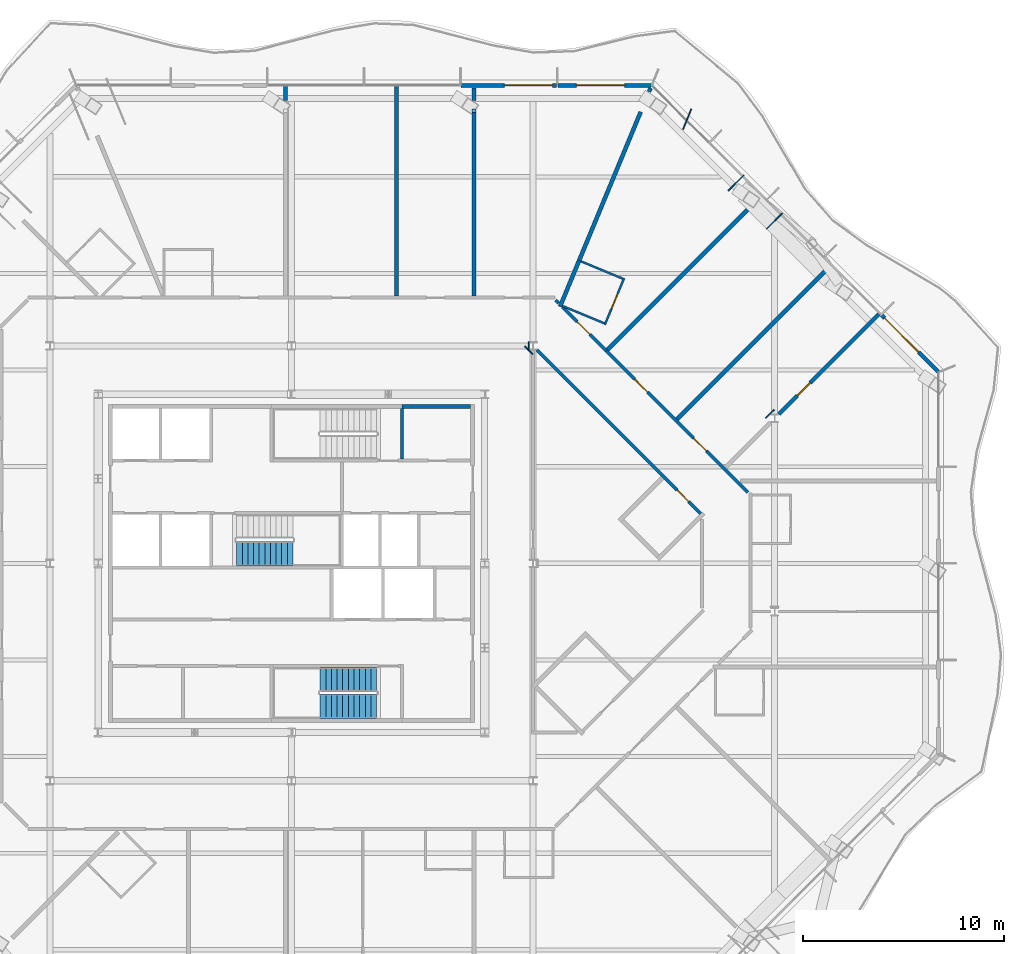
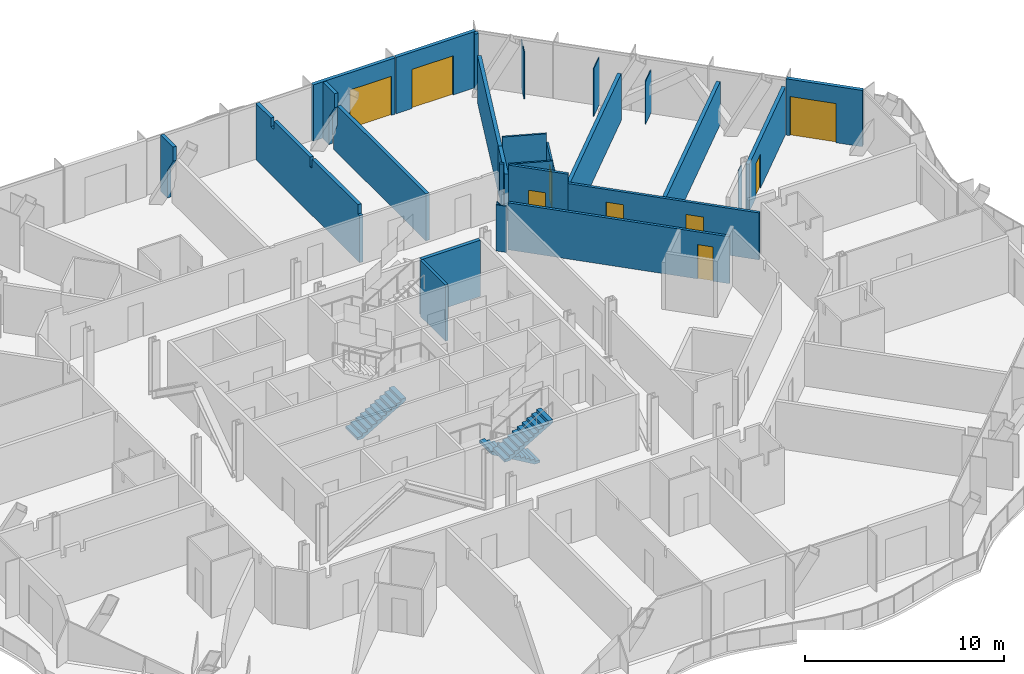
# One storey, part 12 of 19: 28 walls, 9 doors, 3 stair flights, 9 openings, 2 elements without a shape of their own.
"""IFC4 building model written with IfcOpenShell, lengths in metres."""

from ifc_helpers import new_model, si_unit, direction, frame, frame_2d, origin, place, context, subcontext, project, spatial, polyline, rectangle, outline, extrude, material, layer, layer_set, type_object, element, fill, aggregate, save


model = new_model("IFC4")

# Units and contexts
model_context = context("Model", 3, precision=1e-05, world=origin(), true_north=direction((0.0, 1.0)))
body_context = subcontext(model_context, "Body", "Model", "MODEL_VIEW")
ifc_project = project(units=[si_unit("LENGTHUNIT", "METRE"), si_unit("AREAUNIT", "SQUARE_METRE"), si_unit("VOLUMEUNIT", "CUBIC_METRE"), si_unit("PLANEANGLEUNIT", "RADIAN"), si_unit("MASSUNIT", "GRAM", prefix="KILO")], contexts=[model_context])

# Site, building, storey
site_placement = place(None, origin())
site = spatial("IfcSite", under=ifc_project, at=site_placement, CompositionType="ELEMENT")
building_placement = place(site_placement, origin())
building = spatial("IfcBuilding", under=site, at=building_placement, Name="Cairn Pilgrim Tower", CompositionType="ELEMENT")
storey_placement = place(building_placement, frame((0.0, 0.0, 186.60009765625)))
storey = spatial("IfcBuildingStorey", under=building, at=storey_placement, Name="L47", CompositionType="ELEMENT", Elevation=186.60009765625)

# Wall, opening, door
ifc_material_1 = material(Name="Bronze anodised aluminium insulated sandwich panel with mineral wool fill", Category="aluminium")
ifc_layer_1 = layer(ifc_material_1, 0.199951171875)
ifc_layer_set_1 = layer_set([ifc_layer_1], Name="BRONZE INFILL FRAME WALL 200")
wall_type_1 = type_object("IfcWallType", Name="BRONZE INFILL FRAME WALL 200", PredefinedType="NOTDEFINED", material=ifc_layer_set_1)
wall_1_placement = place(storey_placement, frame((39.32177734375, 11.9248046875, 0.0), z_axis=(0.0, 0.0, 1.0), x_axis=(-0.707137595296, 0.707075965734, 0.0)))
wall_1 = element("IfcWall", 1, at=wall_1_placement, inside=storey, type_object=wall_type_1, Name="Bronze infill frame wall IW-NE1", PredefinedType="NOTDEFINED", context=body_context, shape_type="SweptSolid", body=[
    extrude(rectangle(XDim=3.96142578125, YDim=0.199951171875, at=frame_2d((1.980712890625, 0.0))), origin(), (0.0, 0.0, 1.0), 3.449951171875),
])
opening_1_placement = place(wall_1_placement, frame((1.361572265625, 0.0, 0.0)))
opening_1 = element("IfcOpeningElement", 2, at=opening_1_placement, cuts=wall_1, Name="Opening 4705B", PredefinedType="OPENING", context=body_context, shape_type="SweptSolid", body=[
    extrude(rectangle(XDim=2.39990234375, YDim=2.39990234375, at=frame_2d((1.199951171875, 1.199951171875))), frame((0.0, 0.10986328125, 0.0), z_axis=(0.0, -1.0, 0.0), x_axis=(1.0, 0.0, 0.0)), (0.0, 0.0, 1.0), 0.219970703125),
])
ifc_material_2 = material(Name="Bronze anodised aluminium frame with tinted low-E glass", Category="aluminium")
door_type_1 = type_object("IfcDoorType", Name="BALCONY SLIDING DOOR 2400x2400", OperationType="DOUBLE_DOOR_SLIDING", PredefinedType="DOOR", material=ifc_material_2)
door_1_placement = place(opening_1_placement, origin())
door_1 = element("IfcDoor", 3, at=door_1_placement, inside=storey, type_object=door_type_1, Name="Balcony sliding door 4705B", OperationType="SINGLE_SWING_LEFT", OverallHeight=2.39990234375, OverallWidth=2.39990234375, PredefinedType="DOOR", context=body_context, shape_type="SweptSolid", body=[
    extrude(rectangle(XDim=2.39990234375, YDim=2.39990234375, at=frame_2d((1.199951171875, 1.199951171875))), frame((0.0, 0.02490234375, 0.0), z_axis=(0.0, -1.0, 0.0), x_axis=(1.0, 0.0, 0.0)), (0.0, 0.0, 1.0), 0.050048828125),
])
fill(opening_1, door_1)

wall_2_placement = place(storey_placement, frame((25.056396484375, 26.14990234375, 0.0), z_axis=(0.0, 0.0, 1.0), x_axis=(-1.0, 0.0, 0.0)))
wall_2 = element("IfcWall", 4, at=wall_2_placement, inside=storey, type_object=wall_type_1, Name="Bronze infill frame wall IW-N1", PredefinedType="NOTDEFINED", context=body_context, shape_type="SweptSolid", body=[
    extrude(rectangle(XDim=4.62646484375, YDim=0.199951171875, at=frame_2d((2.313232421875, 0.0))), origin(), (0.0, 0.0, 1.0), 3.449951171875),
])
opening_2_placement = place(wall_2_placement, frame((1.308349609375, 0.0, 0.0)))
opening_2 = element("IfcOpeningElement", 5, at=opening_2_placement, cuts=wall_2, Name="Opening 4709B", PredefinedType="OPENING", context=body_context, shape_type="SweptSolid", body=[
    extrude(rectangle(XDim=2.39990234375, YDim=2.39990234375, at=frame_2d((1.199951171875, 1.199951171875))), frame((0.0, 0.10986328125, 0.0), z_axis=(0.0, -1.0, 0.0), x_axis=(1.0, 0.0, 0.0)), (0.0, 0.0, 1.0), 0.219970703125),
])
door_2_placement = place(opening_2_placement, origin())
door_2 = element("IfcDoor", 6, at=door_2_placement, inside=storey, type_object=door_type_1, Name="Balcony sliding door 4709B", OperationType="SINGLE_SWING_LEFT", OverallHeight=2.39990234375, OverallWidth=2.39990234375, PredefinedType="DOOR", context=body_context, shape_type="SweptSolid", body=[
    extrude(rectangle(XDim=2.39990234375, YDim=2.39990234375, at=frame_2d((1.199951171875, 1.199951171875))), frame((0.0, 0.02490234375, 0.0), z_axis=(0.0, -1.0, 0.0), x_axis=(1.0, 0.0, 0.0)), (0.0, 0.0, 1.0), 0.050048828125),
])
fill(opening_2, door_2)

wall_3_placement = place(storey_placement, frame((20.3701171875, 26.14990234375, 0.0), z_axis=(0.0, 0.0, 1.0), x_axis=(-1.0, 0.0, 0.0)))
wall_3 = element("IfcWall", 7, at=wall_3_placement, inside=storey, type_object=wall_type_1, Name="Bronze infill frame wall IW-N2", PredefinedType="NOTDEFINED", context=body_context, shape_type="SweptSolid", body=[
    extrude(rectangle(XDim=4.740234375, YDim=0.199951171875, at=frame_2d((2.3701171875, 0.0))), origin(), (0.0, 0.0, 1.0), 3.449951171875),
])
opening_3_placement = place(wall_3_placement, frame((0.199951171875, 0.0, 0.0)))
opening_3 = element("IfcOpeningElement", 8, at=opening_3_placement, cuts=wall_3, Name="Opening 4709B2", PredefinedType="OPENING", context=body_context, shape_type="SweptSolid", body=[
    extrude(rectangle(XDim=2.39990234375, YDim=2.39990234375, at=frame_2d((1.199951171875, 1.199951171875))), frame((0.0, 0.10986328125, 0.0), z_axis=(0.0, -1.0, 0.0), x_axis=(1.0, 0.0, 0.0)), (0.0, 0.0, 1.0), 0.219970703125),
])
door_3_placement = place(opening_3_placement, origin())
door_3 = element("IfcDoor", 9, at=door_3_placement, inside=storey, type_object=door_type_1, Name="Balcony sliding door 4709B2", OperationType="SINGLE_SWING_LEFT", OverallHeight=2.39990234375, OverallWidth=2.39990234375, PredefinedType="DOOR", context=body_context, shape_type="SweptSolid", body=[
    extrude(rectangle(XDim=2.39990234375, YDim=2.39990234375, at=frame_2d((1.199951171875, 1.199951171875))), frame((0.0, 0.02490234375, 0.0), z_axis=(0.0, -1.0, 0.0), x_axis=(1.0, 0.0, 0.0)), (0.0, 0.0, 1.0), 0.050048828125),
])
fill(opening_3, door_3)

# Walls
ifc_material_3 = material(Name="Concrete C32/40", Category="concrete")
ifc_layer_2 = layer(ifc_material_3, 0.199951171875)
ifc_layer_set_2 = layer_set([ifc_layer_2], Name="CORE OUTER WALL 200 EI 120")
wall_type_2 = type_object("IfcWallType", Name="CORE OUTER WALL 200 EI 120", PredefinedType="SOLIDWALL", material=ifc_layer_set_2)
wall_4_placement = place(storey_placement, frame((12.699951171875, 10.199951171875, 0.0), z_axis=(0.0, 0.0, 1.0), x_axis=(1.0, 0.0, 0.0)))
element("IfcWall", 10, at=wall_4_placement, inside=storey, type_object=wall_type_2, Name="CW:L47:H12-3", PredefinedType="SOLIDWALL", context=body_context, shape_type="SweptSolid", body=[
    extrude(rectangle(XDim=3.400146484375, YDim=0.199951171875, at=frame_2d((1.7001953125, 0.0))), origin(), (0.0, 0.0, 1.0), 3.449951171875),
])
ifc_material_4 = material(Name="Gypsum partition")
ifc_layer_3 = layer(ifc_material_4, 0.10009765625)
ifc_layer_set_3 = layer_set([ifc_layer_3], Name="PARTITION 100 DRYWALL")
wall_type_3 = type_object("IfcWallType", Name="PARTITION 100 DRYWALL", PredefinedType="PARTITIONING", material=ifc_layer_set_3)
wall_5_placement = place(storey_placement, frame((22.74169921875, 14.32421875, 0.0), z_axis=(0.0, 0.0, 1.0), x_axis=(-0.923772075785, 0.382942752901, 0.0)))
element("IfcWall", 11, at=wall_5_placement, inside=storey, type_object=wall_type_3, Name="PARTITION W068", PredefinedType="PARTITIONING", context=body_context, shape_type="SweptSolid", body=[
    extrude(rectangle(XDim=2.249755859375, YDim=0.10009765625, at=frame_2d((1.125, 0.0))), origin(), (0.0, 0.0, 1.0), 3.449951171875),
])

# Wall, opening, door
wall_6_placement = place(storey_placement, frame((22.768798828125, 14.2587890625, 0.0), z_axis=(0.0, 0.0, 1.0), x_axis=(0.382596216825, 0.923915653548, 0.0)))
wall_6 = element("IfcWall", 12, at=wall_6_placement, inside=storey, type_object=wall_type_3, Name="PARTITION W069", PredefinedType="PARTITIONING", context=body_context, shape_type="SweptSolid", body=[
    extrude(rectangle(XDim=2.49951171875, YDim=0.10009765625, at=frame_2d((1.249755859375, 0.0))), origin(), (0.0, 0.0, 1.0), 2.8798828125),
])
opening_4_placement = place(wall_6_placement, frame((0.85009765625, 0.0, 0.0)))
opening_4 = element("IfcOpeningElement", 13, at=opening_4_placement, cuts=wall_6, Name="Opening 4708A", PredefinedType="OPENING", context=body_context, shape_type="SweptSolid", body=[
    extrude(rectangle(XDim=0.800048828125, YDim=2.10009765625, at=frame_2d((0.39990234375, 1.050048828125))), frame((0.0, 0.06005859375, 0.0), z_axis=(0.0, -1.0, 0.0), x_axis=(1.0, 0.0, 0.0)), (0.0, 0.0, 1.0), 0.1201171875),
])
ifc_material_5 = material(Name="Timber door leaf", Category="wood")
door_type_2 = type_object("IfcDoorType", Name="WC DOOR 800x2100", OperationType="NOTDEFINED", PredefinedType="DOOR", material=ifc_material_5)
door_4_placement = place(opening_4_placement, frame((0.800048828125, 0.0, 0.0), z_axis=(0.0, 0.0, 1.0), x_axis=(-1.0, 0.0, 0.0)))
door_4 = element("IfcDoor", 14, at=door_4_placement, inside=storey, type_object=door_type_2, Name="DOOR 4708A", OperationType="SINGLE_SWING_RIGHT", OverallHeight=2.10009765625, OverallWidth=0.800048828125, PredefinedType="DOOR", context=body_context, shape_type="SweptSolid", body=[
    extrude(rectangle(XDim=0.800048828125, YDim=2.10009765625, at=frame_2d((0.39990234375, 1.050048828125))), frame((0.0, 0.02490234375, 0.0), z_axis=(0.0, -1.0, 0.0), x_axis=(1.0, 0.0, 0.0)), (0.0, 0.0, 1.0), 0.050048828125),
])
fill(opening_4, door_4)

# Wall
wall_7_placement = place(storey_placement, frame((23.659912109375, 16.541259765625, 0.0), z_axis=(0.0, 0.0, 1.0), x_axis=(-0.923826362943, 0.382811769845, 0.0)))
element("IfcWall", 15, at=wall_7_placement, inside=storey, type_object=wall_type_3, Name="PARTITION W081", PredefinedType="PARTITIONING", context=body_context, shape_type="SweptSolid", body=[
    extrude(rectangle(XDim=2.25, YDim=0.10009765625, at=frame_2d((1.125, 0.0))), origin(), (0.0, 0.0, 1.0), 3.449951171875),
])

# Wall, opening, door
ifc_layer_4 = layer(ifc_material_4, 0.14990234375)
ifc_layer_set_4 = layer_set([ifc_layer_4], Name="PARTITION 150 DRYWALL EI 60")
wall_type_4 = type_object("IfcWallType", Name="PARTITION 150 DRYWALL EI 60", PredefinedType="PARTITIONING", material=ifc_layer_set_4)
wall_8_placement = place(storey_placement, frame((27.529296875, 4.87060546875, 0.0), z_axis=(0.0, 0.0, 1.0), x_axis=(-0.707106781187, 0.707106781187, 0.0)))
wall_8 = element("IfcWall", 16, at=wall_8_placement, inside=storey, type_object=wall_type_4, Name="PARTITION W054", PredefinedType="PARTITIONING", context=body_context, shape_type="SweptSolid", body=[
    extrude(rectangle(XDim=11.49951171875, YDim=0.14990234375, at=frame_2d((5.749755859375, 0.0))), origin(), (0.0, 0.0, 1.0), 2.8798828125),
])
opening_5_placement = place(wall_8_placement, frame((0.85009765625, 0.0, 0.0)))
opening_5 = element("IfcOpeningElement", 17, at=opening_5_placement, cuts=wall_8, Name="Opening 4725", PredefinedType="OPENING", context=body_context, shape_type="SweptSolid", body=[
    extrude(rectangle(XDim=0.800048828125, YDim=2.10009765625, at=frame_2d((0.39990234375, 1.050048828125))), frame((0.0, 0.0849609375, 0.0), z_axis=(0.0, -1.0, 0.0), x_axis=(1.0, 0.0, 0.0)), (0.0, 0.0, 1.0), 0.169921875),
])
door_type_3 = type_object("IfcDoorType", Name="WC DOOR 800x2100 FD30S", OperationType="NOTDEFINED", PredefinedType="DOOR", material=ifc_material_5)
door_5_placement = place(opening_5_placement, origin())
door_5 = element("IfcDoor", 18, at=door_5_placement, inside=storey, type_object=door_type_3, Name="DOOR 4725", OperationType="SINGLE_SWING_RIGHT", OverallHeight=2.10009765625, OverallWidth=0.800048828125, PredefinedType="DOOR", context=body_context, shape_type="SweptSolid", body=[
    extrude(rectangle(XDim=0.800048828125, YDim=2.10009765625, at=frame_2d((0.39990234375, 1.050048828125))), frame((0.0, 0.02490234375, 0.0), z_axis=(0.0, -1.0, 0.0), x_axis=(1.0, 0.0, 0.0)), (0.0, 0.0, 1.0), 0.050048828125),
])
fill(opening_5, door_5)

# Wall, openings, doors
wall_9_placement = place(storey_placement, frame((29.8720703125, 5.922119140625, 0.0), z_axis=(0.0, 0.0, 1.0), x_axis=(-0.707119057879, 0.707094504281, 0.0)))
wall_9 = element("IfcWall", 19, at=wall_9_placement, inside=storey, type_object=wall_type_4, Name="PARTITION W056", PredefinedType="PARTITIONING", context=body_context, shape_type="SweptSolid", body=[
    extrude(rectangle(XDim=9.943115234375, YDim=0.14990234375, at=frame_2d((4.9716796875, 0.0))), origin(), (0.0, 0.0, 1.0), 2.8798828125),
])
opening_6_placement = place(wall_9_placement, frame((2.9091796875, 0.0, 0.0)))
opening_6 = element("IfcOpeningElement", 20, at=opening_6_placement, cuts=wall_9, Name="Opening 4706", PredefinedType="OPENING", context=body_context, shape_type="SweptSolid", body=[
    extrude(rectangle(XDim=0.89990234375, YDim=2.10009765625, at=frame_2d((0.449951171875, 1.050048828125))), frame((0.0, 0.0849609375, 0.0), z_axis=(0.0, -1.0, 0.0), x_axis=(1.0, 0.0, 0.0)), (0.0, 0.0, 1.0), 0.169921875),
])
opening_7_placement = place(wall_9_placement, frame((7.05029296875, 0.0, 0.0)))
opening_7 = element("IfcOpeningElement", 21, at=opening_7_placement, cuts=wall_9, Name="Opening 4707", PredefinedType="OPENING", context=body_context, shape_type="SweptSolid", body=[
    extrude(rectangle(XDim=0.89990234375, YDim=2.10009765625, at=frame_2d((0.449951171875, 1.050048828125))), frame((0.0, 0.0849609375, 0.0), z_axis=(0.0, -1.0, 0.0), x_axis=(1.0, 0.0, 0.0)), (0.0, 0.0, 1.0), 0.169921875),
])
door_type_4 = type_object("IfcDoorType", Name="SERVICE DOOR 900x2100 FD30S", OperationType="NOTDEFINED", PredefinedType="DOOR", material=ifc_material_5)
door_6_placement = place(opening_6_placement, frame((0.89990234375, 0.0, 0.0), z_axis=(0.0, 0.0, 1.0), x_axis=(-1.0, 0.0, 0.0)))
door_6 = element("IfcDoor", 22, at=door_6_placement, inside=storey, type_object=door_type_4, Name="DOOR 4706", OperationType="SINGLE_SWING_RIGHT", OverallHeight=2.10009765625, OverallWidth=0.89990234375, PredefinedType="DOOR", context=body_context, shape_type="SweptSolid", body=[
    extrude(rectangle(XDim=0.89990234375, YDim=2.10009765625, at=frame_2d((0.449951171875, 1.050048828125))), frame((0.0, 0.02490234375, 0.0), z_axis=(0.0, -1.0, 0.0), x_axis=(1.0, 0.0, 0.0)), (0.0, 0.0, 1.0), 0.050048828125),
])
fill(opening_6, door_6)
door_7_placement = place(opening_7_placement, frame((0.89990234375, 0.0, 0.0), z_axis=(0.0, 0.0, 1.0), x_axis=(-1.0, 0.0, 0.0)))
door_7 = element("IfcDoor", 23, at=door_7_placement, inside=storey, type_object=door_type_4, Name="DOOR 4707", OperationType="SINGLE_SWING_RIGHT", OverallHeight=2.10009765625, OverallWidth=0.89990234375, PredefinedType="DOOR", context=body_context, shape_type="SweptSolid", body=[
    extrude(rectangle(XDim=0.89990234375, YDim=2.10009765625, at=frame_2d((0.449951171875, 1.050048828125))), frame((0.0, 0.02490234375, 0.0), z_axis=(0.0, -1.0, 0.0), x_axis=(1.0, 0.0, 0.0)), (0.0, 0.0, 1.0), 0.050048828125),
])
fill(opening_7, door_7)

# Wall, opening, door
wall_10_placement = place(storey_placement, frame((22.841064453125, 12.952880859375, 0.0), z_axis=(0.0, 0.0, 1.0), x_axis=(-0.706947809344, 0.707265717297, 0.0)))
wall_10 = element("IfcWall", 24, at=wall_10_placement, inside=storey, type_object=wall_type_4, Name="PARTITION W065", PredefinedType="PARTITIONING", context=body_context, shape_type="SweptSolid", body=[
    extrude(rectangle(XDim=3.07177734375, YDim=0.14990234375, at=frame_2d((1.535888671875, 0.0))), origin(), (0.0, 0.0, 1.0), 3.449951171875),
])
opening_8_placement = place(wall_10_placement, frame((1.155029296875, 0.0, 0.0)))
opening_8 = element("IfcOpeningElement", 25, at=opening_8_placement, cuts=wall_10, Name="Opening 4708", PredefinedType="OPENING", context=body_context, shape_type="SweptSolid", body=[
    extrude(rectangle(XDim=0.89990234375, YDim=2.10009765625, at=frame_2d((0.449951171875, 1.050048828125))), frame((0.0, 0.0849609375, 0.0), z_axis=(0.0, -1.0, 0.0), x_axis=(1.0, 0.0, 0.0)), (0.0, 0.0, 1.0), 0.169921875),
])
door_type_5 = type_object("IfcDoorType", Name="ROOM DOOR 900x2100 FD30S", OperationType="NOTDEFINED", PredefinedType="DOOR", material=ifc_material_5)
door_8_placement = place(opening_8_placement, frame((0.89990234375, 0.0, 0.0), z_axis=(0.0, 0.0, 1.0), x_axis=(-1.0, 0.0, 0.0)))
door_8 = element("IfcDoor", 26, at=door_8_placement, inside=storey, type_object=door_type_5, Name="DOOR 4708", OperationType="SINGLE_SWING_RIGHT", OverallHeight=2.10009765625, OverallWidth=0.89990234375, PredefinedType="DOOR", context=body_context, shape_type="SweptSolid", body=[
    extrude(rectangle(XDim=0.89990234375, YDim=2.10009765625, at=frame_2d((0.449951171875, 1.050048828125))), frame((0.0, 0.02490234375, 0.0), z_axis=(0.0, -1.0, 0.0), x_axis=(1.0, 0.0, 0.0)), (0.0, 0.0, 1.0), 0.050048828125),
])
fill(opening_8, door_8)

# Walls
wall_11_placement = place(storey_placement, frame((20.472412109375, 15.322265625, 0.0), z_axis=(0.0, 0.0, 1.0), x_axis=(-0.707682835304, 0.706530257396, 0.0)))
element("IfcWall", 27, at=wall_11_placement, inside=storey, type_object=wall_type_4, Name="PARTITION W071", PredefinedType="PARTITIONING", context=body_context, shape_type="SweptSolid", body=[
    extrude(rectangle(XDim=0.2119140625, YDim=0.14990234375, at=frame_2d((0.10595703125, 0.0))), origin(), (0.0, 0.0, 1.0), 3.449951171875),
])
ifc_layer_5 = layer(ifc_material_4, 0.050048828125)
ifc_layer_set_5 = layer_set([ifc_layer_5], Name="PARTITION 50 DRYWALL EI 60")
wall_type_5 = type_object("IfcWallType", Name="PARTITION 50 DRYWALL EI 60", PredefinedType="PARTITIONING", material=ifc_layer_set_5)
wall_12_placement = place(storey_placement, frame((18.9755859375, 13.00341796875, 0.0), z_axis=(0.0, 0.0, 1.0), x_axis=(0.0, 1.0, 0.0)))
element("IfcWall", 28, at=wall_12_placement, inside=storey, type_object=wall_type_5, Name="COLUMN CASING WC08", PredefinedType="PARTITIONING", context=body_context, shape_type="SweptSolid", body=[
    extrude(rectangle(XDim=0.39306640625, YDim=0.050048828125, at=frame_2d((0.196533203125, 0.0))), origin(), (0.0, 0.0, 1.0), 2.829833984375),
])
wall_13_placement = place(storey_placement, frame((19.182373046875, 12.786376953125, 0.0), z_axis=(0.0, 0.0, 1.0), x_axis=(-0.707106781187, 0.707106781187, 0.0)))
element("IfcWall", 29, at=wall_13_placement, inside=storey, type_object=wall_type_5, Name="COLUMN CASING WC11", PredefinedType="PARTITIONING", context=body_context, shape_type="SweptSolid", body=[
    extrude(rectangle(XDim=0.56005859375, YDim=0.050048828125, at=frame_2d((0.280029296875, 0.0))), origin(), (0.0, 0.0, 1.0), 2.829833984375),
])
wall_14_placement = place(storey_placement, frame((30.765380859375, 9.61767578125, 0.0), z_axis=(0.0, 0.0, 1.0), x_axis=(0.707106781187, 0.707106781187, 0.0)))
element("IfcWall", 30, at=wall_14_placement, inside=storey, type_object=wall_type_5, Name="COLUMN CASING WC12", PredefinedType="PARTITIONING", context=body_context, shape_type="SweptSolid", body=[
    extrude(rectangle(XDim=0.589599609375, YDim=0.050048828125, at=frame_2d((0.294921875, 0.0))), origin(), (0.0, 0.0, 1.0), 2.829833984375),
])
wall_15_placement = place(storey_placement, frame((28.902099609375, 20.9150390625, 0.0), z_axis=(0.0, 0.0, 1.0), x_axis=(0.707218497241, 0.706995047479, 0.0)))
element("IfcWall", 31, at=wall_15_placement, inside=storey, type_object=wall_type_5, Name="COLUMN CASING WC16", PredefinedType="PARTITIONING", context=body_context, shape_type="SweptSolid", body=[
    extrude(rectangle(XDim=1.092529296875, YDim=0.050048828125, at=frame_2d((0.54638671875, 0.0))), origin(), (0.0, 0.0, 1.0), 2.929931640625),
])
wall_16_placement = place(storey_placement, frame((30.80322265625, 19.013916015625, 0.0), z_axis=(0.0, 0.0, 1.0), x_axis=(0.707106781187, 0.707106781187, 0.0)))
element("IfcWall", 32, at=wall_16_placement, inside=storey, type_object=wall_type_5, Name="COLUMN CASING WC17", PredefinedType="PARTITIONING", context=body_context, shape_type="SweptSolid", body=[
    extrude(rectangle(XDim=1.092529296875, YDim=0.050048828125, at=frame_2d((0.54638671875, 0.0))), origin(), (0.0, 0.0, 1.0), 2.6298828125),
])
wall_17_placement = place(storey_placement, frame((26.6484375, 23.958251953125, 0.0), z_axis=(0.0, 0.0, 1.0), x_axis=(0.382781388275, 0.923838951761, 0.0)))
element("IfcWall", 33, at=wall_17_placement, inside=storey, type_object=wall_type_5, Name="COLUMN CASING WC22", PredefinedType="PARTITIONING", context=body_context, shape_type="SweptSolid", body=[
    extrude(rectangle(XDim=1.08740234375, YDim=0.050048828125, at=frame_2d((0.543701171875, 0.0))), origin(), (0.0, 0.0, 1.0), 2.929931640625),
])
ifc_layer_6 = layer(ifc_material_4, 0.199951171875)
ifc_layer_set_6 = layer_set([ifc_layer_6], Name="SHAFT WALL 200 GYPSUM EI 60")
wall_type_6 = type_object("IfcWallType", Name="SHAFT WALL 200 GYPSUM EI 60", PredefinedType="PARTITIONING", material=ifc_layer_set_6)
wall_18_placement = place(storey_placement, frame((26.34912109375, 9.551025390625, 0.0), z_axis=(0.0, 0.0, 1.0), x_axis=(0.707095469378, 0.707118092814, 0.0)))
element("IfcWall", 34, at=wall_18_placement, inside=storey, type_object=wall_type_6, Name="PARTITION W062", PredefinedType="PARTITIONING", context=body_context, shape_type="SweptSolid", body=[
    extrude(rectangle(XDim=10.79150390625, YDim=0.199951171875, at=frame_2d((5.395751953125, 0.0))), origin(), (0.0, 0.0, 1.0), 2.6298828125),
])

# Wall, opening, door
wall_19_placement = place(storey_placement, frame((31.408447265625, 9.80859375, 0.0), z_axis=(0.0, 0.0, 1.0), x_axis=(0.707124140529, 0.707089421418, 0.0)))
wall_19 = element("IfcWall", 35, at=wall_19_placement, inside=storey, type_object=wall_type_6, Name="PARTITION W063", PredefinedType="PARTITIONING", context=body_context, shape_type="SweptSolid", body=[
    extrude(rectangle(XDim=7.031982421875, YDim=0.199951171875, at=frame_2d((3.51611328125, 0.0))), origin(), (0.0, 0.0, 1.0), 2.929931640625),
])
opening_9_placement = place(wall_19_placement, frame((1.303955078125, 0.0, 0.0)))
opening_9 = element("IfcOpeningElement", 36, at=opening_9_placement, cuts=wall_19, Name="Opening 4705", PredefinedType="OPENING", context=body_context, shape_type="SweptSolid", body=[
    extrude(rectangle(XDim=0.89990234375, YDim=2.10009765625, at=frame_2d((0.449951171875, 1.050048828125))), frame((0.0, 0.10986328125, 0.0), z_axis=(0.0, -1.0, 0.0), x_axis=(1.0, 0.0, 0.0)), (0.0, 0.0, 1.0), 0.219970703125),
])
door_9_placement = place(opening_9_placement, frame((0.89990234375, 0.0, 0.0), z_axis=(0.0, 0.0, 1.0), x_axis=(-1.0, 0.0, 0.0)))
door_9 = element("IfcDoor", 37, at=door_9_placement, inside=storey, type_object=door_type_4, Name="DOOR 4705", OperationType="SINGLE_SWING_RIGHT", OverallHeight=2.10009765625, OverallWidth=0.89990234375, PredefinedType="DOOR", context=body_context, shape_type="SweptSolid", body=[
    extrude(rectangle(XDim=0.89990234375, YDim=2.10009765625, at=frame_2d((0.449951171875, 1.050048828125))), frame((0.0, 0.02490234375, 0.0), z_axis=(0.0, -1.0, 0.0), x_axis=(1.0, 0.0, 0.0)), (0.0, 0.0, 1.0), 0.050048828125),
])
fill(opening_9, door_9)

# Walls
wall_20_placement = place(storey_placement, frame((22.89404296875, 13.006103515625, 0.0), z_axis=(0.0, 0.0, 1.0), x_axis=(0.707106781187, 0.707106781187, 0.0)))
element("IfcWall", 38, at=wall_20_placement, inside=storey, type_object=wall_type_6, Name="PARTITION W066", PredefinedType="PARTITIONING", context=body_context, shape_type="SweptSolid", body=[
    extrude(rectangle(XDim=9.8408203125, YDim=0.199951171875, at=frame_2d((4.92041015625, 0.0))), origin(), (0.0, 0.0, 1.0), 2.8798828125),
])
wall_21_placement = place(storey_placement, frame((20.542236328125, 15.15478515625, 0.0), z_axis=(0.0, 0.0, 1.0), x_axis=(0.382624834073, 0.923903802542, 0.0)))
element("IfcWall", 39, at=wall_21_placement, inside=storey, type_object=wall_type_6, Name="PARTITION W070", PredefinedType="PARTITIONING", context=body_context, shape_type="SweptSolid", body=[
    extrude(rectangle(XDim=2.474365234375, YDim=0.199951171875, at=frame_2d((1.2373046875, 0.0))), origin(), (0.0, 0.0, 1.0), 2.8798828125),
])
wall_22_placement = place(storey_placement, frame((12.428955078125, 15.675048828125, 0.0), z_axis=(0.0, 0.0, 1.0), x_axis=(0.0, 1.0, 0.0)))
element("IfcWall", 40, at=wall_22_placement, inside=storey, type_object=wall_type_6, Name="PARTITION W079", PredefinedType="PARTITIONING", context=body_context, shape_type="SweptSolid", body=[
    extrude(outline(polyline([(0.0, 0.0), (10.427978515625, 0.0), (10.427978515625, 3.449951171875), (8.925048828125, 3.449951171875), (8.923095703125, 2.929931640625), (8.625, 2.929931640625), (8.623046875, 3.449951171875), (4.97998046875, 3.449951171875), (4.97802734375, 2.8798828125), (4.77001953125, 2.8798828125), (4.76806640625, 3.449951171875), (0.179931640625, 3.449951171875), (0.177978515625, 2.8798828125), (0.0, 2.8798828125), (0.0, 0.0)])), frame((0.0, 0.10009765625, 0.0), z_axis=(0.0, -1.0, 0.0), x_axis=(1.0, 0.0, 0.0)), (0.0, 0.0, 1.0), 0.199951171875),
])
wall_23_placement = place(storey_placement, frame((16.262939453125, 15.675048828125, 0.0), z_axis=(0.0, 0.0, 1.0), x_axis=(0.0, 1.0, 0.0)))
element("IfcWall", 41, at=wall_23_placement, inside=storey, type_object=wall_type_6, Name="PARTITION W080", PredefinedType="PARTITIONING", context=body_context, shape_type="SweptSolid", body=[
    extrude(outline(polyline([(0.0, 0.0), (9.28515625, 0.0), (9.28515625, 0.8623046875), (8.872802734375, 1.724853515625), (8.872802734375, 2.58740234375), (8.872802734375, 2.8798828125), (0.0, 2.8798828125), (0.0, 2.58740234375), (0.0, 1.724853515625), (0.0, 0.8623046875), (0.0, 0.0)])), frame((0.0, 0.10009765625, 0.0), z_axis=(0.0, -1.0, 0.0), x_axis=(1.0, 0.0, 0.0)), (0.0, 0.0, 1.0), 0.199951171875),
])
wall_24_placement = place(storey_placement, frame((21.489013671875, 17.44091796875, 0.0), z_axis=(0.0, 0.0, 1.0), x_axis=(0.382687087481, 0.923878018504, 0.0)))
element("IfcWall", 42, at=wall_24_placement, inside=storey, type_object=wall_type_6, Name="PARTITION W086", PredefinedType="PARTITIONING", context=body_context, shape_type="SweptSolid", body=[
    extrude(rectangle(XDim=7.99560546875, YDim=0.199951171875, at=frame_2d((3.997802734375, 0.0))), origin(), (0.0, 0.0, 1.0), 2.8798828125),
])
wall_25_placement = place(storey_placement, frame((6.912109375, 24.84765625, 0.0), z_axis=(0.0, 0.0, 1.0), x_axis=(0.0, 1.0, 0.0)))
element("IfcWall", 43, at=wall_25_placement, inside=storey, type_object=wall_type_6, Name="PARTITION W089", PredefinedType="PARTITIONING", context=body_context, shape_type="SweptSolid", body=[
    extrude(outline(polyline([(0.554443359375, 0.0), (1.25537109375, 0.0), (1.25537109375, 0.8623046875), (1.25537109375, 1.724853515625), (1.25537109375, 2.58740234375), (1.25537109375, 3.449951171875), (0.0, 3.449951171875), (0.0, 2.58740234375), (0.543212890625, 1.724853515625), (0.554443359375, 0.8623046875), (0.554443359375, 0.0)])), frame((0.0, 0.10009765625, 0.0), z_axis=(0.0, -1.0, 0.0), x_axis=(1.0, 0.0, 0.0)), (0.0, 0.0, 1.0), 0.199951171875),
])
wall_26_placement = place(storey_placement, frame((16.262939453125, 24.84716796875, 0.0), z_axis=(0.0, 0.0, 1.0), x_axis=(0.0, 1.0, 0.0)))
element("IfcWall", 44, at=wall_26_placement, inside=storey, type_object=wall_type_6, Name="PARTITION W090", PredefinedType="PARTITIONING", context=body_context, shape_type="SweptSolid", body=[
    extrude(outline(polyline([(0.555419921875, 0.0), (1.1728515625, 0.0), (1.1728515625, 0.8623046875), (1.1728515625, 1.724853515625), (1.1728515625, 2.58740234375), (1.1728515625, 3.449951171875), (0.0, 3.449951171875), (0.0, 2.58740234375), (0.543701171875, 1.724853515625), (0.555419921875, 0.8623046875), (0.555419921875, 0.0)])), frame((0.0, 0.10009765625, 0.0), z_axis=(0.0, -1.0, 0.0), x_axis=(1.0, 0.0, 0.0)), (0.0, 0.0, 1.0), 0.199951171875),
])
wall_27_placement = place(storey_placement, frame((24.965087890625, 25.832763671875, 0.0), z_axis=(0.0, 0.0, 1.0), x_axis=(0.382047769144, 0.924142576712, 0.0)))
element("IfcWall", 45, at=wall_27_placement, inside=storey, type_object=wall_type_6, Name="PARTITION W091", PredefinedType="PARTITIONING", context=body_context, shape_type="SweptSolid", body=[
    extrude(rectangle(XDim=0.189208984375, YDim=0.199951171875, at=frame_2d((0.0947265625, 0.0))), origin(), (0.0, 0.0, 1.0), 3.449951171875),
])
ifc_material_6 = material(Name="Concrete C35/45", Category="concrete")
ifc_layer_7 = layer(ifc_material_6, 0.14990234375)
ifc_layer_set_7 = layer_set([ifc_layer_7], Name="STAIR SHAFT WALL 150 EI 120")
wall_type_7 = type_object("IfcWallType", Name="STAIR SHAFT WALL 150 EI 120", PredefinedType="SOLIDWALL", material=ifc_layer_set_7)
wall_28_placement = place(storey_placement, frame((12.699951171875, 7.574951171875, 0.0), z_axis=(0.0, 0.0, 1.0), x_axis=(0.0, 1.0, 0.0)))
element("IfcWall", 46, at=wall_28_placement, inside=storey, type_object=wall_type_7, Name="CW:L47:V27", PredefinedType="SOLIDWALL", context=body_context, shape_type="SweptSolid", body=[
    extrude(rectangle(XDim=2.525146484375, YDim=0.14990234375, at=frame_2d((1.2626953125, 0.0))), origin(), (0.0, 0.0, 1.0), 3.449951171875),
])

# Stair, stair flights
stair_type = type_object("IfcStairType", Name="EXIT STAIR 1200", PredefinedType="HALF_TURN_STAIR", material=ifc_material_3)
stair_1_placement = place(storey_placement, origin())
stair_1 = element("IfcStair", 47, at=stair_1_placement, inside=storey, type_object=stair_type, Name="L47 Exit Stair A", PredefinedType="HALF_TURN_STAIR")
stair_flight_type = type_object("IfcStairFlightType", Name="STAIR FLIGHT 1200", PredefinedType="STRAIGHT", material=ifc_material_3)
stair_flight_1_placement = place(storey_placement, frame((11.425048828125, -3.375, 0.0), z_axis=(0.0, 0.0, 1.0), x_axis=(-1.0, 0.0, 0.0)))
stair_flight_1 = element("IfcStairFlight", 48, at=stair_flight_1_placement, type_object=stair_flight_type, Name="ST-A flight 1", NumberOfRisers=11, NumberOfTreads=10, PredefinedType="STRAIGHT", RiserHeight=0.163636364, TreadLength=0.28, context=body_context, shape_type="SweptSolid", body=[
    extrude(outline(polyline([(0.0, 0.0), (0.0, 0.16357421875), (0.280029296875, 0.16357421875), (0.280029296875, 0.327392578125), (0.56005859375, 0.327392578125), (0.56005859375, 0.490966796875), (0.840087890625, 0.490966796875), (0.840087890625, 0.654541015625), (1.1201171875, 0.654541015625), (1.1201171875, 0.818115234375), (1.39990234375, 0.818115234375), (1.39990234375, 0.98193359375), (1.679931640625, 0.98193359375), (1.679931640625, 1.1455078125), (1.9599609375, 1.1455078125), (1.9599609375, 1.30908203125), (2.239990234375, 1.30908203125), (2.239990234375, 1.47265625), (2.52001953125, 1.47265625), (2.52001953125, 1.636474609375), (2.800048828125, 1.636474609375), (2.800048828125, 1.800048828125), (2.800048828125, 1.462646484375), (0.297119140625, 0.0), (0.0, 0.0)])), frame((0.0, 0.60009765625, 0.0), z_axis=(0.0, -1.0, 0.0), x_axis=(1.0, 0.0, 0.0)), (0.0, 0.0, 1.0), 1.199951171875),
])
stair_flight_2_placement = place(storey_placement, frame((8.625, -4.699951171875, 1.7998046875), z_axis=(0.0, 0.0, 1.0), x_axis=(1.0, 0.0, 0.0)))
stair_flight_2 = element("IfcStairFlight", 49, at=stair_flight_2_placement, type_object=stair_flight_type, Name="ST-A flight 2", NumberOfRisers=11, NumberOfTreads=10, PredefinedType="STRAIGHT", RiserHeight=0.163636364, TreadLength=0.28, context=body_context, shape_type="SweptSolid", body=[
    extrude(outline(polyline([(0.0, 0.0), (0.0, 0.16357421875), (0.280029296875, 0.16357421875), (0.280029296875, 0.327392578125), (0.56005859375, 0.327392578125), (0.56005859375, 0.490966796875), (0.840087890625, 0.490966796875), (0.840087890625, 0.654541015625), (1.1201171875, 0.654541015625), (1.1201171875, 0.818115234375), (1.39990234375, 0.818115234375), (1.39990234375, 0.98193359375), (1.679931640625, 0.98193359375), (1.679931640625, 1.1455078125), (1.9599609375, 1.1455078125), (1.9599609375, 1.30908203125), (2.239990234375, 1.30908203125), (2.239990234375, 1.47265625), (2.52001953125, 1.47265625), (2.52001953125, 1.636474609375), (2.800048828125, 1.636474609375), (2.800048828125, 1.800048828125), (2.800048828125, 1.462646484375), (0.297119140625, 0.0), (0.0, 0.0)])), frame((0.0, 0.60009765625, 0.0), z_axis=(0.0, -1.0, 0.0), x_axis=(1.0, 0.0, 0.0)), (0.0, 0.0, 1.0), 1.199951171875),
])
aggregate(stair_1, [stair_flight_1, stair_flight_2])

# Stair, stair flight
stair_2_placement = place(storey_placement, origin())
stair_2 = element("IfcStair", 50, at=stair_2_placement, inside=storey, type_object=stair_type, Name="L47 Exit Stair B", PredefinedType="HALF_TURN_STAIR")
stair_flight_3_placement = place(storey_placement, frame((4.47509765625, 2.875, 0.0), z_axis=(0.0, 0.0, 1.0), x_axis=(1.0, 0.0, 0.0)))
stair_flight_3 = element("IfcStairFlight", 51, at=stair_flight_3_placement, type_object=stair_flight_type, Name="ST-B flight 1", NumberOfRisers=11, NumberOfTreads=10, PredefinedType="STRAIGHT", RiserHeight=0.163636364, TreadLength=0.28, context=body_context, shape_type="SweptSolid", body=[
    extrude(outline(polyline([(0.0, 0.0), (0.0, 0.16357421875), (0.280029296875, 0.16357421875), (0.280029296875, 0.327392578125), (0.56005859375, 0.327392578125), (0.56005859375, 0.490966796875), (0.840087890625, 0.490966796875), (0.840087890625, 0.654541015625), (1.1201171875, 0.654541015625), (1.1201171875, 0.818115234375), (1.39990234375, 0.818115234375), (1.39990234375, 0.98193359375), (1.679931640625, 0.98193359375), (1.679931640625, 1.1455078125), (1.9599609375, 1.1455078125), (1.9599609375, 1.30908203125), (2.239990234375, 1.30908203125), (2.239990234375, 1.47265625), (2.52001953125, 1.47265625), (2.52001953125, 1.636474609375), (2.800048828125, 1.636474609375), (2.800048828125, 1.800048828125), (2.800048828125, 1.462646484375), (0.297119140625, 0.0), (0.0, 0.0)])), frame((0.0, 0.60009765625, 0.0), z_axis=(0.0, -1.0, 0.0), x_axis=(1.0, 0.0, 0.0)), (0.0, 0.0, 1.0), 1.199951171875),
])
aggregate(stair_2, [stair_flight_3])

save(model, "model.ifc")
